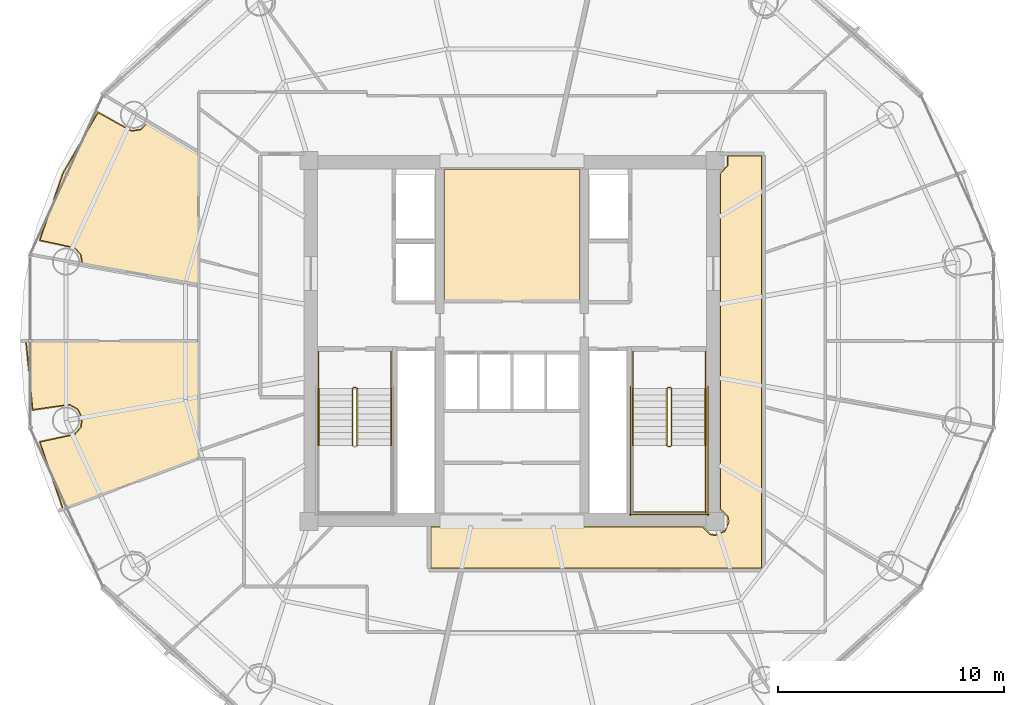
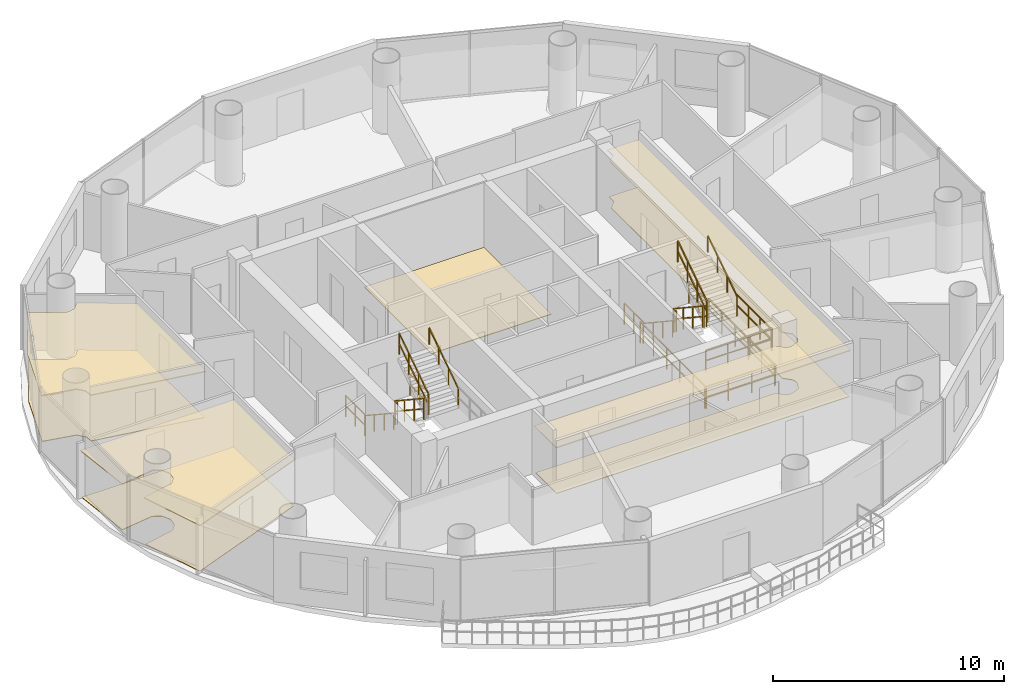
# One storey, part 25 of 26: 20 railings, 7 coverings.
"""IFC4 building model written with IfcOpenShell, lengths in metres."""

from ifc_helpers import new_model, si_unit, direction, frame, origin, origin_2d, place, context, subcontext, project, spatial, polyline, rectangle, outline, extrude, material, layer, layer_set, type_object, element, save


model = new_model("IFC4")

# Units and contexts
model_context = context("Model", 3, precision=1e-05, world=origin(), true_north=direction((-0.2419218956, 0.970295726276)))
body_context = subcontext(model_context, "Body", "Model", "MODEL_VIEW")
ifc_project = project(units=[si_unit("LENGTHUNIT", "METRE"), si_unit("AREAUNIT", "SQUARE_METRE"), si_unit("VOLUMEUNIT", "CUBIC_METRE"), si_unit("PLANEANGLEUNIT", "RADIAN"), si_unit("MASSUNIT", "GRAM", prefix="KILO")], contexts=[model_context])

# Site, building, storey
site_placement = place(None, origin())
site = spatial("IfcSite", under=ifc_project, at=site_placement, CompositionType="ELEMENT")
building_placement = place(site_placement, origin())
building = spatial("IfcBuilding", under=site, at=building_placement, Name="Cobrevalo Terracotta Tower", CompositionType="ELEMENT")
storey_placement = place(building_placement, frame((0.0, 0.0, 224.5)))
storey = spatial("IfcBuildingStorey", under=building, at=storey_placement, Name="L59", CompositionType="ELEMENT", Elevation=224.5)

# Coverings
ifc_material_1 = material(Name="Engineered Brazilian hardwood flooring", Category="wood")
ifc_layer_1 = layer(ifc_material_1, 0.028076171875)
ifc_layer_set_1 = layer_set([ifc_layer_1], Name="Engineered Brazilian hardwood flooring")
covering_type_1 = type_object("IfcCoveringType", Name="Engineered Hardwood Suite Flooring 28", PredefinedType="FLOORING", material=ifc_layer_set_1)
covering_1_placement = place(storey_placement, origin())
element("IfcCovering", 1, at=covering_1_placement, inside=storey, type_object=covering_type_1, Name="Flat L59A Principal Guest Bedroom floor finish", PredefinedType="FLOORING", context=body_context, shape_type="SweptSolid", body=[
    extrude(outline(polyline([(18.117919921875, 34.23095703125), (19.662109375, 36.91357421875), (21.1376953125, 36.095947265625), (21.562744140625, 36.1591796875), (21.903564453125, 36.495849609375), (24.094970703125, 35.172607421875), (24.094970703125, 29.31982421875), (18.9697265625, 30.240966796875), (18.9150390625, 30.6181640625), (18.635986328125, 30.94482421875), (17.09228515625, 31.277099609375), (18.117919921875, 34.23095703125)])), origin(), (0.0, 0.0, 1.0), 0.030029296875),
])
covering_2_placement = place(storey_placement, origin())
element("IfcCovering", 2, at=covering_2_placement, inside=storey, type_object=covering_type_1, Name="Flat L59A Principal Guest Bedroom floor finish", PredefinedType="FLOORING", context=body_context, shape_type="SweptSolid", body=[
    extrude(outline(polyline([(18.114501953125, 19.3779296875), (17.09228515625, 22.322998046875), (18.635986328125, 22.655029296875), (18.9150390625, 22.981689453125), (18.9658203125, 23.408447265625), (18.770751953125, 23.791259765625), (18.39599609375, 24.00146484375), (16.7734375, 23.76953125), (16.4814453125, 26.780029296875), (24.094970703125, 26.780029296875), (24.094970703125, 21.616455078125), (18.114501953125, 19.3779296875)])), origin(), (0.0, 0.0, 1.0), 0.030029296875),
])
ifc_material_2 = material(Name="Honed terracotta and granite tile", Category="masonry")
ifc_layer_2 = layer(ifc_material_2, 0.034912109375)
ifc_layer_set_2 = layer_set([ifc_layer_2], Name="Honed terracotta and granite tile")
covering_type_2 = type_object("IfcCoveringType", Name="Honed Terracotta & Granite Interior Flooring 35", PredefinedType="FLOORING", material=ifc_layer_set_2)
covering_3_placement = place(storey_placement, origin())
element("IfcCovering", 3, at=covering_3_placement, inside=storey, type_object=covering_type_2, Name="Floor Electrical Switchroom floor finish", PredefinedType="FLOORING", context=body_context, shape_type="SweptSolid", body=[
    extrude(outline(polyline([(35.010009765625, 34.405029296875), (40.989990234375, 34.405029296875), (40.989990234375, 28.580078125), (35.010009765625, 28.580078125), (35.010009765625, 34.405029296875)])), origin(), (0.0, 0.0, 1.0), 0.030029296875),
])
covering_4_placement = place(storey_placement, origin())
element("IfcCovering", 4, at=covering_4_placement, inside=storey, type_object=covering_type_2, Name="L59 Residential Floor Corridor 1 floor finish", PredefinedType="FLOORING", context=body_context, shape_type="SweptSolid", body=[
    extrude(outline(polyline([(34.419921875, 18.554931640625), (46.431884765625, 18.554931640625), (46.7626953125, 18.226806640625), (47.0, 18.1796875), (47.438720703125, 18.361328125), (47.620361328125, 18.800048828125), (47.5732421875, 19.037353515625), (47.2451171875, 19.3681640625), (47.2451171875, 34.23193359375), (47.5732421875, 34.5625), (47.57958984375, 35.0048828125), (49.054931640625, 35.0048828125), (49.054931640625, 16.7451171875), (34.419921875, 16.7451171875), (34.419921875, 18.554931640625)])), origin(), (0.0, 0.0, 1.0), 0.030029296875),
])
ifc_material_3 = material(Name="Acoustic perforated gypsum ceiling", Category="gypsum")
ifc_layer_3 = layer(ifc_material_3, 0.050048828125)
ifc_layer_set_3 = layer_set([ifc_layer_3], Name="Acoustic perforated gypsum ceiling")
covering_type_3 = type_object("IfcCoveringType", Name="Perforated Acoustic Gypsum Ceiling 50", PredefinedType="CEILING", material=ifc_layer_set_3)
covering_5_placement = place(storey_placement, frame((0.0, 0.0, 2.445068359375)))
element("IfcCovering", 5, at=covering_5_placement, inside=storey, type_object=covering_type_3, Name="L59 Residential Floor Corridor 1 acoustic ceiling", PredefinedType="CEILING", context=body_context, shape_type="SweptSolid", body=[
    extrude(outline(polyline([(34.375, 18.60009765625), (46.4560546875, 18.60009765625), (46.780029296875, 18.269287109375), (47.0, 18.2255859375), (47.40625, 18.393798828125), (47.53076171875, 18.580078125), (47.53076171875, 19.019775390625), (47.199951171875, 19.343994140625), (47.199951171875, 34.255859375), (47.53076171875, 34.580078125), (47.524658203125, 35.050048828125), (49.10009765625, 35.050048828125), (49.10009765625, 16.699951171875), (34.375, 16.699951171875), (34.375, 18.60009765625)])), origin(), (0.0, 0.0, 1.0), 0.050048828125),
])
covering_6_placement = place(storey_placement, frame((0.0, 0.0, 2.445068359375)))
element("IfcCovering", 6, at=covering_6_placement, inside=storey, type_object=covering_type_3, Name="Flat L59A Principal Guest Bedroom acoustic ceiling", PredefinedType="CEILING", context=body_context, shape_type="SweptSolid", body=[
    extrude(outline(polyline([(18.076904296875, 34.249755859375), (19.650146484375, 36.97314453125), (21.144287109375, 36.140625), (21.54345703125, 36.199951171875), (21.884033203125, 36.56005859375), (24.139892578125, 35.197998046875), (24.139892578125, 29.265869140625), (18.921630859375, 30.203857421875), (18.873779296875, 30.60009765625), (18.611572265625, 30.90673828125), (17.038330078125, 31.240966796875), (18.076904296875, 34.249755859375)])), origin(), (0.0, 0.0, 1.0), 0.050048828125),
])
covering_7_placement = place(storey_placement, frame((0.0, 0.0, 2.445068359375)))
element("IfcCovering", 7, at=covering_7_placement, inside=storey, type_object=covering_type_3, Name="Flat L59A Principal Guest Bedroom acoustic ceiling", PredefinedType="CEILING", context=body_context, shape_type="SweptSolid", body=[
    extrude(outline(polyline([(18.088134765625, 19.320068359375), (17.038330078125, 22.359130859375), (18.611572265625, 22.693359375), (18.873779296875, 23.0), (18.92138671875, 23.400634765625), (18.73828125, 23.760009765625), (18.386474609375, 23.957275390625), (16.73876953125, 23.717529296875), (16.43310546875, 26.824951171875), (24.139892578125, 26.824951171875), (24.139892578125, 21.58544921875), (18.088134765625, 19.320068359375)])), origin(), (0.0, 0.0, 1.0), 0.050048828125),
])

# Railings
ifc_material_4 = material(Name="Brushed stainless steel", Category="steel")
railing_type_1 = type_object("IfcRailingType", Name="Stainless Steel Stair Handrail 900", PredefinedType="HANDRAIL", material=ifc_material_4)
railing_1_placement = place(storey_placement, frame((29.425048828125, 24.699951171875, 0.18505859375)))
element("IfcRailing", 8, at=railing_1_placement, inside=storey, type_object=railing_type_1, Name="L59 ST-1 stair handrail 1", PredefinedType="HANDRAIL", context=body_context, shape_type="SweptSolid", body=[
    extrude(rectangle(XDim=0.048095703125, YDim=0.048095703125, at=origin_2d()), frame((0.0, 0.0, 0.8759765625), z_axis=(0.0, -0.834331337432, 0.55126329406), x_axis=(1.0, 0.0, 0.0)), (0.0, 0.0, 1.0), 3.0205078125),
    extrude(rectangle(XDim=0.0419921875, YDim=0.0419921875, at=origin_2d()), origin(), (0.0, 0.0, 1.0), 0.851806640625),
    extrude(rectangle(XDim=0.0419921875, YDim=0.0419921875, at=origin_2d()), frame((0.0, -0.840087890625, 0.554931640625)), (0.0, 0.0, 1.0), 0.851806640625),
    extrude(rectangle(XDim=0.0419921875, YDim=0.0419921875, at=origin_2d()), frame((0.0, -1.679931640625, 1.110107421875)), (0.0, 0.0, 1.0), 0.851806640625),
    extrude(rectangle(XDim=0.0419921875, YDim=0.0419921875, at=origin_2d()), frame((0.0, -2.52001953125, 1.6650390625)), (0.0, 0.0, 1.0), 0.851806640625),
])
railing_2_placement = place(storey_placement, frame((32.64501953125, 22.179931640625, 2.034912109375)))
element("IfcRailing", 9, at=railing_2_placement, inside=storey, type_object=railing_type_1, Name="L59 ST-1 stair handrail 2", PredefinedType="HANDRAIL", context=body_context, shape_type="SweptSolid", body=[
    extrude(rectangle(XDim=0.048095703125, YDim=0.048095703125, at=origin_2d()), frame((0.0, 0.0, 0.8759765625), z_axis=(0.0, 0.834331337432, 0.55126329406), x_axis=(-1.0, 0.0, 0.0)), (0.0, 0.0, 1.0), 3.0205078125),
    extrude(rectangle(XDim=0.0419921875, YDim=0.0419921875, at=origin_2d()), origin(), (0.0, 0.0, 1.0), 0.851806640625),
    extrude(rectangle(XDim=0.0419921875, YDim=0.0419921875, at=origin_2d()), frame((0.0, 0.840087890625, 0.554931640625)), (0.0, 0.0, 1.0), 0.851806640625),
    extrude(rectangle(XDim=0.0419921875, YDim=0.0419921875, at=origin_2d()), frame((0.0, 1.679931640625, 1.110107421875)), (0.0, 0.0, 1.0), 0.851806640625),
    extrude(rectangle(XDim=0.0419921875, YDim=0.0419921875, at=origin_2d()), frame((0.0, 2.52001953125, 1.6650390625)), (0.0, 0.0, 1.0), 0.851806640625),
])
railing_3_placement = place(storey_placement, frame((43.35498046875, 24.699951171875, 0.18505859375)))
element("IfcRailing", 10, at=railing_3_placement, inside=storey, type_object=railing_type_1, Name="L59 ST-2 stair handrail 1", PredefinedType="HANDRAIL", context=body_context, shape_type="SweptSolid", body=[
    extrude(rectangle(XDim=0.048095703125, YDim=0.048095703125, at=origin_2d()), frame((0.0, 0.0, 0.8759765625), z_axis=(0.0, -0.834331337432, 0.55126329406), x_axis=(1.0, 0.0, 0.0)), (0.0, 0.0, 1.0), 3.0205078125),
    extrude(rectangle(XDim=0.0419921875, YDim=0.0419921875, at=origin_2d()), origin(), (0.0, 0.0, 1.0), 0.851806640625),
    extrude(rectangle(XDim=0.0419921875, YDim=0.0419921875, at=origin_2d()), frame((0.0, -0.840087890625, 0.554931640625)), (0.0, 0.0, 1.0), 0.851806640625),
    extrude(rectangle(XDim=0.0419921875, YDim=0.0419921875, at=origin_2d()), frame((0.0, -1.679931640625, 1.110107421875)), (0.0, 0.0, 1.0), 0.851806640625),
    extrude(rectangle(XDim=0.0419921875, YDim=0.0419921875, at=origin_2d()), frame((0.0, -2.52001953125, 1.6650390625)), (0.0, 0.0, 1.0), 0.851806640625),
])
railing_4_placement = place(storey_placement, frame((46.574951171875, 22.179931640625, 2.034912109375)))
element("IfcRailing", 11, at=railing_4_placement, inside=storey, type_object=railing_type_1, Name="L59 ST-2 stair handrail 2", PredefinedType="HANDRAIL", context=body_context, shape_type="SweptSolid", body=[
    extrude(rectangle(XDim=0.048095703125, YDim=0.048095703125, at=origin_2d()), frame((0.0, 0.0, 0.8759765625), z_axis=(0.0, 0.834331337432, 0.55126329406), x_axis=(-1.0, 0.0, 0.0)), (0.0, 0.0, 1.0), 3.0205078125),
    extrude(rectangle(XDim=0.0419921875, YDim=0.0419921875, at=origin_2d()), origin(), (0.0, 0.0, 1.0), 0.851806640625),
    extrude(rectangle(XDim=0.0419921875, YDim=0.0419921875, at=origin_2d()), frame((0.0, 0.840087890625, 0.554931640625)), (0.0, 0.0, 1.0), 0.851806640625),
    extrude(rectangle(XDim=0.0419921875, YDim=0.0419921875, at=origin_2d()), frame((0.0, 1.679931640625, 1.110107421875)), (0.0, 0.0, 1.0), 0.851806640625),
    extrude(rectangle(XDim=0.0419921875, YDim=0.0419921875, at=origin_2d()), frame((0.0, 2.52001953125, 1.6650390625)), (0.0, 0.0, 1.0), 0.851806640625),
])
ifc_material_5 = material(Name="Painted galvanized steel", Category="steel")
railing_type_2 = type_object("IfcRailingType", Name="Stair Well Guard Balustrade 1150", PredefinedType="GUARDRAIL", material=ifc_material_5)
railing_5_placement = place(storey_placement, frame((30.925048828125, 24.699951171875, 0.18505859375)))
element("IfcRailing", 12, at=railing_5_placement, inside=storey, type_object=railing_type_2, Name="L59 ST-1 stair guard 1", PredefinedType="GUARDRAIL", context=body_context, shape_type="SweptSolid", body=[
    extrude(rectangle(XDim=0.048095703125, YDim=0.048095703125, at=origin_2d()), frame((0.0, 0.0, 1.1259765625), z_axis=(0.0, -0.834331337432, 0.55126329406), x_axis=(1.0, 0.0, 0.0)), (0.0, 0.0, 1.0), 3.0205078125),
    extrude(rectangle(XDim=0.048095703125, YDim=0.048095703125, at=origin_2d()), frame((0.0, 0.0, 0.574951171875), z_axis=(0.0, -0.834331337432, 0.55126329406), x_axis=(1.0, 0.0, 0.0)), (0.0, 0.0, 1.0), 3.0205078125),
    extrude(rectangle(XDim=0.0419921875, YDim=0.0419921875, at=origin_2d()), origin(), (0.0, 0.0, 1.0), 1.101806640625),
    extrude(rectangle(XDim=0.0419921875, YDim=0.0419921875, at=origin_2d()), frame((0.0, -0.840087890625, 0.554931640625)), (0.0, 0.0, 1.0), 1.101806640625),
    extrude(rectangle(XDim=0.0419921875, YDim=0.0419921875, at=origin_2d()), frame((0.0, -1.679931640625, 1.110107421875)), (0.0, 0.0, 1.0), 1.101806640625),
    extrude(rectangle(XDim=0.0419921875, YDim=0.0419921875, at=origin_2d()), frame((0.0, -2.52001953125, 1.6650390625)), (0.0, 0.0, 1.0), 1.101806640625),
])
railing_6_placement = place(storey_placement, frame((31.14501953125, 22.179931640625, 2.034912109375)))
element("IfcRailing", 13, at=railing_6_placement, inside=storey, type_object=railing_type_2, Name="L59 ST-1 stair guard 6", PredefinedType="GUARDRAIL", context=body_context, shape_type="SweptSolid", body=[
    extrude(rectangle(XDim=0.048095703125, YDim=0.048095703125, at=origin_2d()), frame((0.0, 0.0, 1.1259765625), z_axis=(0.0, 0.834331337432, 0.55126329406), x_axis=(-1.0, 0.0, 0.0)), (0.0, 0.0, 1.0), 3.0205078125),
    extrude(rectangle(XDim=0.048095703125, YDim=0.048095703125, at=origin_2d()), frame((0.0, 0.0, 0.574951171875), z_axis=(0.0, 0.834331337432, 0.55126329406), x_axis=(-1.0, 0.0, 0.0)), (0.0, 0.0, 1.0), 3.0205078125),
    extrude(rectangle(XDim=0.0419921875, YDim=0.0419921875, at=origin_2d()), origin(), (0.0, 0.0, 1.0), 1.101806640625),
    extrude(rectangle(XDim=0.0419921875, YDim=0.0419921875, at=origin_2d()), frame((0.0, 0.840087890625, 0.554931640625)), (0.0, 0.0, 1.0), 1.101806640625),
    extrude(rectangle(XDim=0.0419921875, YDim=0.0419921875, at=origin_2d()), frame((0.0, 1.679931640625, 1.110107421875)), (0.0, 0.0, 1.0), 1.101806640625),
    extrude(rectangle(XDim=0.0419921875, YDim=0.0419921875, at=origin_2d()), frame((0.0, 2.52001953125, 1.6650390625)), (0.0, 0.0, 1.0), 1.101806640625),
])
railing_7_placement = place(storey_placement, frame((30.97509765625, 24.75, 0.0)))
element("IfcRailing", 14, at=railing_7_placement, inside=storey, type_object=railing_type_2, Name="L59 ST-1 stair guard 7", PredefinedType="GUARDRAIL", context=body_context, shape_type="SweptSolid", body=[
    extrude(rectangle(XDim=0.048095703125, YDim=0.048095703125, at=origin_2d()), frame((0.0, 0.0, 1.1259765625), z_axis=(1.0, 0.0, 0.0), x_axis=(0.0, 1.0, 0.0)), (0.0, 0.0, 1.0), 0.119873046875),
    extrude(rectangle(XDim=0.048095703125, YDim=0.048095703125, at=origin_2d()), frame((0.0, 0.0, 0.574951171875), z_axis=(1.0, 0.0, 0.0), x_axis=(0.0, 1.0, 0.0)), (0.0, 0.0, 1.0), 0.119873046875),
    extrude(rectangle(XDim=0.0419921875, YDim=0.0419921875, at=origin_2d()), origin(), (0.0, 0.0, 1.0), 1.101806640625),
    extrude(rectangle(XDim=0.0419921875, YDim=0.0419921875, at=origin_2d()), frame((0.119873046875, 0.0, 0.0)), (0.0, 0.0, 1.0), 1.101806640625),
])
for number, where, name in (
    (15, (29.425048828125, 26.35009765625, 0.0), "L59 ST-1 stair guard 8"),
    (16, (32.64501953125, 26.35009765625, 0.0), "L59 ST-1 stair guard 9"),
):
    element("IfcRailing", number, at=place(storey_placement, frame(where)), inside=storey, type_object=railing_type_2, Name=name, PredefinedType="GUARDRAIL", context=body_context, shape_type="SweptSolid", body=[
        extrude(rectangle(XDim=0.048095703125, YDim=0.048095703125, at=origin_2d()), frame((0.0, 0.0, 1.1259765625), z_axis=(0.0, -1.0, 0.0), x_axis=(1.0, 0.0, 0.0)), (0.0, 0.0, 1.0), 1.650146484375),
        extrude(rectangle(XDim=0.048095703125, YDim=0.048095703125, at=origin_2d()), frame((0.0, 0.0, 0.574951171875), z_axis=(0.0, -1.0, 0.0), x_axis=(1.0, 0.0, 0.0)), (0.0, 0.0, 1.0), 1.650146484375),
        extrude(rectangle(XDim=0.0419921875, YDim=0.0419921875, at=origin_2d()), origin(), (0.0, 0.0, 1.0), 1.101806640625),
        extrude(rectangle(XDim=0.0419921875, YDim=0.0419921875, at=origin_2d()), frame((0.0, -0.8251953125, 0.0)), (0.0, 0.0, 1.0), 1.101806640625),
        extrude(rectangle(XDim=0.0419921875, YDim=0.0419921875, at=origin_2d()), frame((0.0, -1.650146484375, 0.0)), (0.0, 0.0, 1.0), 1.101806640625),
    ])
railing_8_placement = place(storey_placement, frame((44.85498046875, 24.699951171875, 0.18505859375)))
element("IfcRailing", 17, at=railing_8_placement, inside=storey, type_object=railing_type_2, Name="L59 ST-2 stair guard 1", PredefinedType="GUARDRAIL", context=body_context, shape_type="SweptSolid", body=[
    extrude(rectangle(XDim=0.048095703125, YDim=0.048095703125, at=origin_2d()), frame((0.0, 0.0, 1.1259765625), z_axis=(0.0, -0.834331337432, 0.55126329406), x_axis=(1.0, 0.0, 0.0)), (0.0, 0.0, 1.0), 3.0205078125),
    extrude(rectangle(XDim=0.048095703125, YDim=0.048095703125, at=origin_2d()), frame((0.0, 0.0, 0.574951171875), z_axis=(0.0, -0.834331337432, 0.55126329406), x_axis=(1.0, 0.0, 0.0)), (0.0, 0.0, 1.0), 3.0205078125),
    extrude(rectangle(XDim=0.0419921875, YDim=0.0419921875, at=origin_2d()), origin(), (0.0, 0.0, 1.0), 1.101806640625),
    extrude(rectangle(XDim=0.0419921875, YDim=0.0419921875, at=origin_2d()), frame((0.0, -0.840087890625, 0.554931640625)), (0.0, 0.0, 1.0), 1.101806640625),
    extrude(rectangle(XDim=0.0419921875, YDim=0.0419921875, at=origin_2d()), frame((0.0, -1.679931640625, 1.110107421875)), (0.0, 0.0, 1.0), 1.101806640625),
    extrude(rectangle(XDim=0.0419921875, YDim=0.0419921875, at=origin_2d()), frame((0.0, -2.52001953125, 1.6650390625)), (0.0, 0.0, 1.0), 1.101806640625),
])
railing_9_placement = place(storey_placement, frame((44.905029296875, 22.1298828125, 1.85009765625)))
element("IfcRailing", 18, at=railing_9_placement, inside=storey, type_object=railing_type_2, Name="L59 ST-2 stair guard 2", PredefinedType="GUARDRAIL", context=body_context, shape_type="SweptSolid", body=[
    extrude(rectangle(XDim=0.048095703125, YDim=0.048095703125, at=origin_2d()), frame((0.0, 0.0, 1.1259765625), z_axis=(1.0, 0.0, 0.0), x_axis=(0.0, 1.0, 0.0)), (0.0, 0.0, 1.0), 0.119873046875),
    extrude(rectangle(XDim=0.048095703125, YDim=0.048095703125, at=origin_2d()), frame((0.0, 0.0, 0.574951171875), z_axis=(1.0, 0.0, 0.0), x_axis=(0.0, 1.0, 0.0)), (0.0, 0.0, 1.0), 0.119873046875),
    extrude(rectangle(XDim=0.0419921875, YDim=0.0419921875, at=origin_2d()), origin(), (0.0, 0.0, 1.0), 1.101806640625),
    extrude(rectangle(XDim=0.0419921875, YDim=0.0419921875, at=origin_2d()), frame((0.119873046875, 0.0, 0.0)), (0.0, 0.0, 1.0), 1.101806640625),
])
railing_10_placement = place(storey_placement, frame((46.574951171875, 22.179931640625, 1.85009765625)))
element("IfcRailing", 19, at=railing_10_placement, inside=storey, type_object=railing_type_2, Name="L59 ST-2 stair guard 4", PredefinedType="GUARDRAIL", context=body_context, shape_type="SweptSolid", body=[
    extrude(rectangle(XDim=0.048095703125, YDim=0.048095703125, at=origin_2d()), frame((0.0, 0.0, 1.1259765625), z_axis=(0.0, -1.0, 0.0), x_axis=(1.0, 0.0, 0.0)), (0.0, 0.0, 1.0), 3.0048828125),
    extrude(rectangle(XDim=0.048095703125, YDim=0.048095703125, at=origin_2d()), frame((0.0, 0.0, 0.574951171875), z_axis=(0.0, -1.0, 0.0), x_axis=(1.0, 0.0, 0.0)), (0.0, 0.0, 1.0), 3.0048828125),
    extrude(rectangle(XDim=0.0419921875, YDim=0.0419921875, at=origin_2d()), origin(), (0.0, 0.0, 1.0), 1.101806640625),
    extrude(rectangle(XDim=0.0419921875, YDim=0.0419921875, at=origin_2d()), frame((0.0, -1.001708984375, 0.0)), (0.0, 0.0, 1.0), 1.101806640625),
    extrude(rectangle(XDim=0.0419921875, YDim=0.0419921875, at=origin_2d()), frame((0.0, -2.003173828125, 0.0)), (0.0, 0.0, 1.0), 1.101806640625),
    extrude(rectangle(XDim=0.0419921875, YDim=0.0419921875, at=origin_2d()), frame((0.0, -3.0048828125, 0.0)), (0.0, 0.0, 1.0), 1.101806640625),
])
railing_11_placement = place(storey_placement, frame((43.304931640625, 19.22509765625, 1.85009765625)))
element("IfcRailing", 20, at=railing_11_placement, inside=storey, type_object=railing_type_2, Name="L59 ST-2 stair guard 5", PredefinedType="GUARDRAIL", context=body_context, shape_type="SweptSolid", body=[
    extrude(rectangle(XDim=0.048095703125, YDim=0.048095703125, at=origin_2d()), frame((0.0, 0.0, 1.1259765625), z_axis=(1.0, 0.0, 0.0), x_axis=(0.0, 1.0, 0.0)), (0.0, 0.0, 1.0), 3.320068359375),
    extrude(rectangle(XDim=0.048095703125, YDim=0.048095703125, at=origin_2d()), frame((0.0, 0.0, 0.574951171875), z_axis=(1.0, 0.0, 0.0), x_axis=(0.0, 1.0, 0.0)), (0.0, 0.0, 1.0), 3.320068359375),
    extrude(rectangle(XDim=0.0419921875, YDim=0.0419921875, at=origin_2d()), origin(), (0.0, 0.0, 1.0), 1.101806640625),
    extrude(rectangle(XDim=0.0419921875, YDim=0.0419921875, at=origin_2d()), frame((1.106689453125, 0.0, 0.0)), (0.0, 0.0, 1.0), 1.101806640625),
    extrude(rectangle(XDim=0.0419921875, YDim=0.0419921875, at=origin_2d()), frame((2.21337890625, 0.0, 0.0)), (0.0, 0.0, 1.0), 1.101806640625),
    extrude(rectangle(XDim=0.0419921875, YDim=0.0419921875, at=origin_2d()), frame((3.320068359375, 0.0, 0.0)), (0.0, 0.0, 1.0), 1.101806640625),
])
railing_12_placement = place(storey_placement, frame((45.074951171875, 22.179931640625, 2.034912109375)))
element("IfcRailing", 21, at=railing_12_placement, inside=storey, type_object=railing_type_2, Name="L59 ST-2 stair guard 6", PredefinedType="GUARDRAIL", context=body_context, shape_type="SweptSolid", body=[
    extrude(rectangle(XDim=0.048095703125, YDim=0.048095703125, at=origin_2d()), frame((0.0, 0.0, 1.1259765625), z_axis=(0.0, 0.834331337432, 0.55126329406), x_axis=(-1.0, 0.0, 0.0)), (0.0, 0.0, 1.0), 3.0205078125),
    extrude(rectangle(XDim=0.048095703125, YDim=0.048095703125, at=origin_2d()), frame((0.0, 0.0, 0.574951171875), z_axis=(0.0, 0.834331337432, 0.55126329406), x_axis=(-1.0, 0.0, 0.0)), (0.0, 0.0, 1.0), 3.0205078125),
    extrude(rectangle(XDim=0.0419921875, YDim=0.0419921875, at=origin_2d()), origin(), (0.0, 0.0, 1.0), 1.101806640625),
    extrude(rectangle(XDim=0.0419921875, YDim=0.0419921875, at=origin_2d()), frame((0.0, 0.840087890625, 0.554931640625)), (0.0, 0.0, 1.0), 1.101806640625),
    extrude(rectangle(XDim=0.0419921875, YDim=0.0419921875, at=origin_2d()), frame((0.0, 1.679931640625, 1.110107421875)), (0.0, 0.0, 1.0), 1.101806640625),
    extrude(rectangle(XDim=0.0419921875, YDim=0.0419921875, at=origin_2d()), frame((0.0, 2.52001953125, 1.6650390625)), (0.0, 0.0, 1.0), 1.101806640625),
])
railing_13_placement = place(storey_placement, frame((44.905029296875, 24.75, 0.0)))
element("IfcRailing", 22, at=railing_13_placement, inside=storey, type_object=railing_type_2, Name="L59 ST-2 stair guard 7", PredefinedType="GUARDRAIL", context=body_context, shape_type="SweptSolid", body=[
    extrude(rectangle(XDim=0.048095703125, YDim=0.048095703125, at=origin_2d()), frame((0.0, 0.0, 1.1259765625), z_axis=(1.0, 0.0, 0.0), x_axis=(0.0, 1.0, 0.0)), (0.0, 0.0, 1.0), 0.119873046875),
    extrude(rectangle(XDim=0.048095703125, YDim=0.048095703125, at=origin_2d()), frame((0.0, 0.0, 0.574951171875), z_axis=(1.0, 0.0, 0.0), x_axis=(0.0, 1.0, 0.0)), (0.0, 0.0, 1.0), 0.119873046875),
    extrude(rectangle(XDim=0.0419921875, YDim=0.0419921875, at=origin_2d()), origin(), (0.0, 0.0, 1.0), 1.101806640625),
    extrude(rectangle(XDim=0.0419921875, YDim=0.0419921875, at=origin_2d()), frame((0.119873046875, 0.0, 0.0)), (0.0, 0.0, 1.0), 1.101806640625),
])
for number, where, name in (
    (23, (43.35498046875, 26.35009765625, 0.0), "L59 ST-2 stair guard 8"),
    (24, (46.574951171875, 26.35009765625, 0.0), "L59 ST-2 stair guard 9"),
):
    element("IfcRailing", number, at=place(storey_placement, frame(where)), inside=storey, type_object=railing_type_2, Name=name, PredefinedType="GUARDRAIL", context=body_context, shape_type="SweptSolid", body=[
        extrude(rectangle(XDim=0.048095703125, YDim=0.048095703125, at=origin_2d()), frame((0.0, 0.0, 1.1259765625), z_axis=(0.0, -1.0, 0.0), x_axis=(1.0, 0.0, 0.0)), (0.0, 0.0, 1.0), 1.650146484375),
        extrude(rectangle(XDim=0.048095703125, YDim=0.048095703125, at=origin_2d()), frame((0.0, 0.0, 0.574951171875), z_axis=(0.0, -1.0, 0.0), x_axis=(1.0, 0.0, 0.0)), (0.0, 0.0, 1.0), 1.650146484375),
        extrude(rectangle(XDim=0.0419921875, YDim=0.0419921875, at=origin_2d()), origin(), (0.0, 0.0, 1.0), 1.101806640625),
        extrude(rectangle(XDim=0.0419921875, YDim=0.0419921875, at=origin_2d()), frame((0.0, -0.8251953125, 0.0)), (0.0, 0.0, 1.0), 1.101806640625),
        extrude(rectangle(XDim=0.0419921875, YDim=0.0419921875, at=origin_2d()), frame((0.0, -1.650146484375, 0.0)), (0.0, 0.0, 1.0), 1.101806640625),
    ])
for number, where, name in (
    (25, (43.2548828125, 24.800048828125, 0.0), "L59 ST-2 stair guard 10"),
    (26, (46.675048828125, 24.800048828125, 0.0), "L59 ST-2 stair guard 11"),
):
    element("IfcRailing", number, at=place(storey_placement, frame(where)), inside=storey, type_object=railing_type_2, Name=name, PredefinedType="GUARDRAIL", context=body_context, shape_type="SweptSolid", body=[
        extrude(rectangle(XDim=0.048095703125, YDim=0.048095703125, at=origin_2d()), frame((0.0, 0.0, 1.1259765625), z_axis=(0.0, -1.0, 0.0), x_axis=(1.0, 0.0, 0.0)), (0.0, 0.0, 1.0), 5.72509765625),
        extrude(rectangle(XDim=0.048095703125, YDim=0.048095703125, at=origin_2d()), frame((0.0, 0.0, 0.574951171875), z_axis=(0.0, -1.0, 0.0), x_axis=(1.0, 0.0, 0.0)), (0.0, 0.0, 1.0), 5.72509765625),
        extrude(rectangle(XDim=0.0419921875, YDim=0.0419921875, at=origin_2d()), origin(), (0.0, 0.0, 1.0), 1.101806640625),
        extrude(rectangle(XDim=0.0419921875, YDim=0.0419921875, at=origin_2d()), frame((0.0, -1.14501953125, 0.0)), (0.0, 0.0, 1.0), 1.101806640625),
        extrude(rectangle(XDim=0.0419921875, YDim=0.0419921875, at=origin_2d()), frame((0.0, -2.2900390625, 0.0)), (0.0, 0.0, 1.0), 1.101806640625),
        extrude(rectangle(XDim=0.0419921875, YDim=0.0419921875, at=origin_2d()), frame((0.0, -3.43505859375, 0.0)), (0.0, 0.0, 1.0), 1.101806640625),
        extrude(rectangle(XDim=0.0419921875, YDim=0.0419921875, at=origin_2d()), frame((0.0, -4.580078125, 0.0)), (0.0, 0.0, 1.0), 1.101806640625),
        extrude(rectangle(XDim=0.0419921875, YDim=0.0419921875, at=origin_2d()), frame((0.0, -5.72509765625, 0.0)), (0.0, 0.0, 1.0), 1.101806640625),
    ])
railing_14_placement = place(storey_placement, frame((43.205078125, 19.125, 0.0)))
element("IfcRailing", 27, at=railing_14_placement, inside=storey, type_object=railing_type_2, Name="L59 ST-2 stair guard 12", PredefinedType="GUARDRAIL", context=body_context, shape_type="SweptSolid", body=[
    extrude(rectangle(XDim=0.048095703125, YDim=0.048095703125, at=origin_2d()), frame((0.0, 0.0, 1.1259765625), z_axis=(1.0, 0.0, 0.0), x_axis=(0.0, 1.0, 0.0)), (0.0, 0.0, 1.0), 3.52001953125),
    extrude(rectangle(XDim=0.048095703125, YDim=0.048095703125, at=origin_2d()), frame((0.0, 0.0, 0.574951171875), z_axis=(1.0, 0.0, 0.0), x_axis=(0.0, 1.0, 0.0)), (0.0, 0.0, 1.0), 3.52001953125),
    extrude(rectangle(XDim=0.0419921875, YDim=0.0419921875, at=origin_2d()), origin(), (0.0, 0.0, 1.0), 1.101806640625),
    extrude(rectangle(XDim=0.0419921875, YDim=0.0419921875, at=origin_2d()), frame((1.17333984375, 0.0, 0.0)), (0.0, 0.0, 1.0), 1.101806640625),
    extrude(rectangle(XDim=0.0419921875, YDim=0.0419921875, at=origin_2d()), frame((2.3466796875, 0.0, 0.0)), (0.0, 0.0, 1.0), 1.101806640625),
    extrude(rectangle(XDim=0.0419921875, YDim=0.0419921875, at=origin_2d()), frame((3.52001953125, 0.0, 0.0)), (0.0, 0.0, 1.0), 1.101806640625),
])

save(model, "model.ifc")
